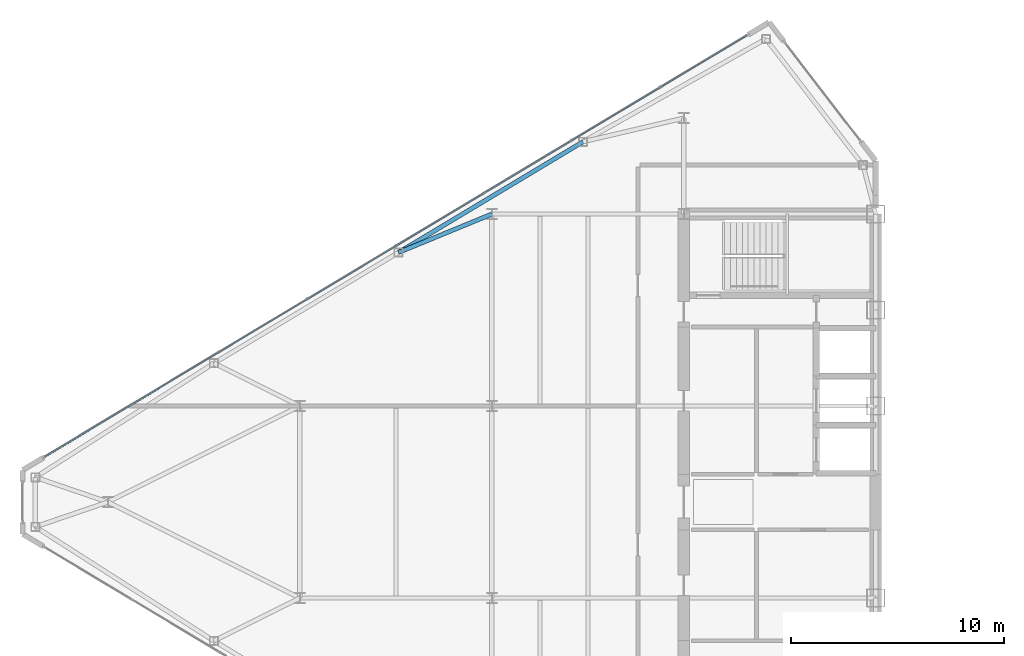
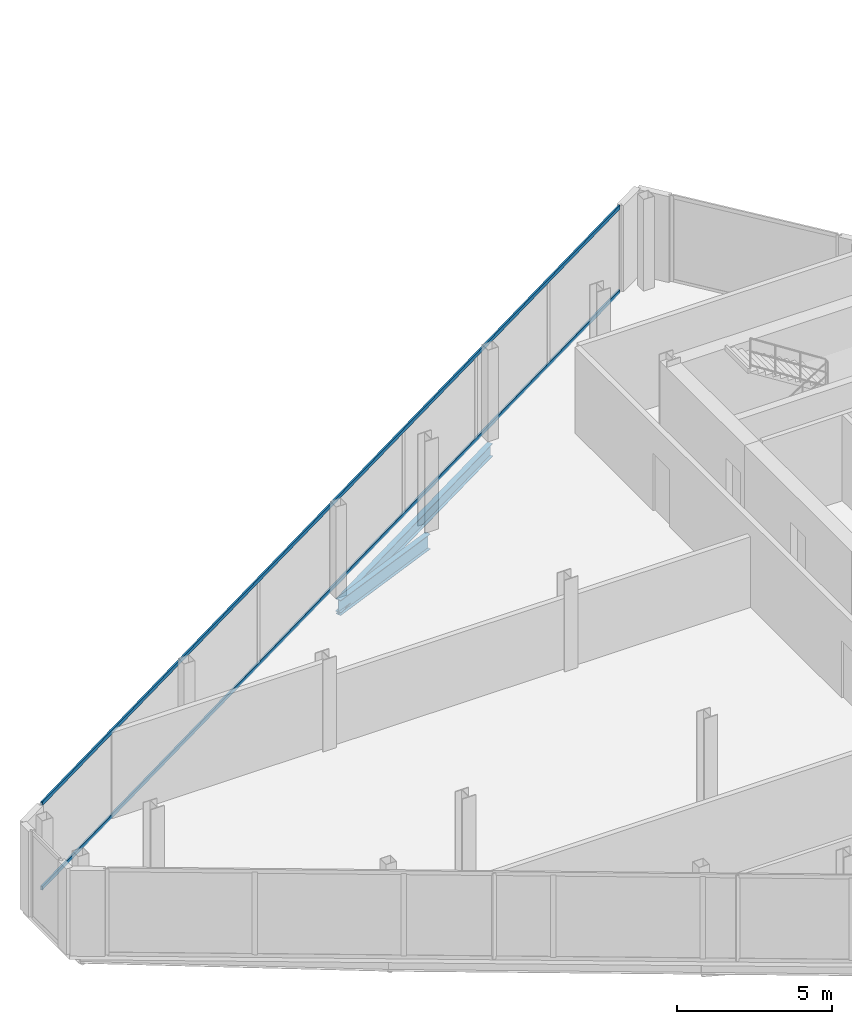
# One storey, part 9 of 25: 2 beams, 2 members, 1 element without a shape of its own.
"""IFC4 building model written with IfcOpenShell, lengths in metres."""

from ifc_helpers import new_model, si_unit, direction, frame, origin, origin_2d, place, context, subcontext, project, spatial, rectangle, i_section, extrude, source, transform, mapped, material, layer, layer_set, material_profile, profile_set, type_object, type_shapes, element, aggregate, save


model = new_model("IFC4")

# Units and contexts
model_context = context("Model", 3, precision=1e-05, world=origin(), true_north=direction((0.0, 1.0)))
body_context = subcontext(model_context, "Body", "Model", "MODEL_VIEW")
ifc_project = project(units=[si_unit("LENGTHUNIT", "METRE"), si_unit("AREAUNIT", "SQUARE_METRE"), si_unit("VOLUMEUNIT", "CUBIC_METRE"), si_unit("PLANEANGLEUNIT", "RADIAN"), si_unit("MASSUNIT", "GRAM", prefix="KILO")], contexts=[model_context])

# Site, building, storey
site_placement = place(None, origin())
site = spatial("IfcSite", under=ifc_project, at=site_placement, CompositionType="ELEMENT")
building_placement = place(site_placement, origin())
building = spatial("IfcBuilding", under=site, at=building_placement, Name="Seokmaru Belvedere", CompositionType="ELEMENT")
storey_placement = place(building_placement, frame((0.0, 0.0, 203.10009765625)))
storey = spatial("IfcBuildingStorey", under=building, at=storey_placement, Name="L54", CompositionType="ELEMENT", Elevation=203.10009765625)

# Beams
ifc_material_1 = material(Name="Steel SM355 (355 MPa)", Category="steel")
ifc_material_profile_1 = material_profile(ifc_material_1, i_section(OverallWidth=0.199951171875, OverallDepth=0.5, WebThickness=0.010009765625, FlangeThickness=0.01611328125, at=origin_2d()), Name="H-500x200x10x16")
ifc_profile_set_1 = profile_set([ifc_material_profile_1], Name="Steel SM355 (355 MPa)")
beam_type_1 = type_object("IfcBeamType", Name="Perimeter Spandrel Beam H-500", PredefinedType="SPANDREL", material=ifc_profile_set_1)
shared_shape_1 = source(origin(), body_context, "Body", "SweptSolid", [
    extrude(i_section(OverallWidth=0.199951171875, OverallDepth=0.5, WebThickness=0.010009765625, FlangeThickness=0.01611328125, at=origin_2d()), origin(), (0.0, 0.0, 1.0), 10.087646484375),
])
type_shapes(beam_type_1, [shared_shape_1])
beam_1_placement = place(storey_placement, frame((-41.229736328125, 16.888916015625, -0.47021484375), z_axis=(-0.857499332045, -0.514485078056, 0.0), x_axis=(0.514485078056, -0.857499332045, 0.0)))
element("IfcBeam", 1, at=beam_1_placement, inside=storey, type_object=beam_type_1, Name="L54 W Faceted Flank Spandrel N-2", PredefinedType="SPANDREL", context=body_context, shape_type="MappedRepresentation", body=[
    mapped(shared_shape_1, transform((0.0, 0.0, 0.0), scale=1.0)),
])
ifc_material_profile_2 = material_profile(ifc_material_1, i_section(OverallWidth=0.199951171875, OverallDepth=0.60009765625, WebThickness=0.010986328125, FlangeThickness=0.01708984375, at=origin_2d()), Name="H-600x200x11x17")
ifc_profile_set_2 = profile_set([ifc_material_profile_2], Name="Steel SM355 (355 MPa)")
beam_type_2 = type_object("IfcBeamType", Name="Primary Floor Girder H-600", PredefinedType="BEAM", material=ifc_profile_set_2)
shared_shape_2 = source(origin(), body_context, "Body", "SweptSolid", [
    extrude(i_section(OverallWidth=0.199951171875, OverallDepth=0.60009765625, WebThickness=0.010986328125, FlangeThickness=0.01708984375, at=origin_2d()), origin(), (0.0, 0.0, 1.0), 4.73583984375),
])
type_shapes(beam_type_2, [shared_shape_2])
beam_2_placement = place(storey_placement, frame((-49.8798828125, 11.698974609375, -0.52001953125), z_axis=(0.924860562953, 0.380306375301, 0.0), x_axis=(-0.380306375301, 0.924860562953, 0.0)))
element("IfcBeam", 2, at=beam_2_placement, inside=storey, type_object=beam_type_2, Name="L54 W Flank Radial Floor Girder N-2", PredefinedType="BEAM", context=body_context, shape_type="MappedRepresentation", body=[
    mapped(shared_shape_2, transform((0.0, 0.0, 0.0), scale=1.0)),
])

# Curtain wall, members
ifc_material_2 = material(Name="Bronze Triple Insulating Glass", Category="glass")
ifc_layer = layer(ifc_material_2, 0.179931640625)
ifc_layer_set = layer_set([ifc_layer], Name="Bronze Triple Insulating Glass")
curtain_wall_type = type_object("IfcCurtainWallType", Name="High-Rise Wind-Corner Curtain Wall System CW-5", PredefinedType="NOTDEFINED", material=ifc_layer_set)
curtain_wall_placement = place(storey_placement, origin())
curtain_wall = element("IfcCurtainWall", 3, at=curtain_wall_placement, inside=storey, type_object=curtain_wall_type, Name="L54 Curtain Wall WF3", PredefinedType="NOTDEFINED")
ifc_material_3 = material(Name="Anodised Bronze Aluminium", Category="aluminium")
ifc_material_profile_3 = material_profile(ifc_material_3, rectangle(XDim=0.06494140625, YDim=0.14990234375, at=origin_2d()), Name="CW-T-65x150")
ifc_profile_set_3 = profile_set([ifc_material_profile_3], Name="Anodised Bronze Aluminium")
member_type = type_object("IfcMemberType", Name="Bronze Unitised Transom 65x150", PredefinedType="USERDEFINED", material=ifc_profile_set_3)
shared_shape_3 = source(origin(), body_context, "Body", "SweptSolid", [
    extrude(rectangle(XDim=0.06494140625, YDim=0.14990234375, at=origin_2d()), origin(), (0.0, 0.0, 1.0), 38.386962890625),
])
type_shapes(member_type, [shared_shape_3])
member_1_placement = place(storey_placement, frame((-33.541748046875, 21.875, 0.032470703125), z_axis=(-0.85749180336, -0.514497626011, 0.0), x_axis=(0.514497626011, -0.85749180336, 0.0)))
member_1 = element("IfcMember", 4, at=member_1_placement, type_object=member_type, Name="CW:L54:WF3 Continuous Transom 1", ObjectType="TRANSOM", PredefinedType="USERDEFINED", context=body_context, shape_type="MappedRepresentation", body=[
    mapped(shared_shape_3, transform((0.0, 0.0, 0.0), scale=1.0)),
])
member_2_placement = place(storey_placement, frame((-33.541748046875, 21.875, 3.347412109375), z_axis=(-0.85749180336, -0.514497626011, 0.0), x_axis=(0.514497626011, -0.85749180336, 0.0)))
member_2 = element("IfcMember", 5, at=member_2_placement, type_object=member_type, Name="CW:L54:WF3 Continuous Transom 2", ObjectType="TRANSOM", PredefinedType="USERDEFINED", context=body_context, shape_type="MappedRepresentation", body=[
    mapped(shared_shape_3, transform((0.0, 0.0, 0.0), scale=1.0)),
])
aggregate(curtain_wall, [member_1, member_2])

save(model, "model.ifc")
